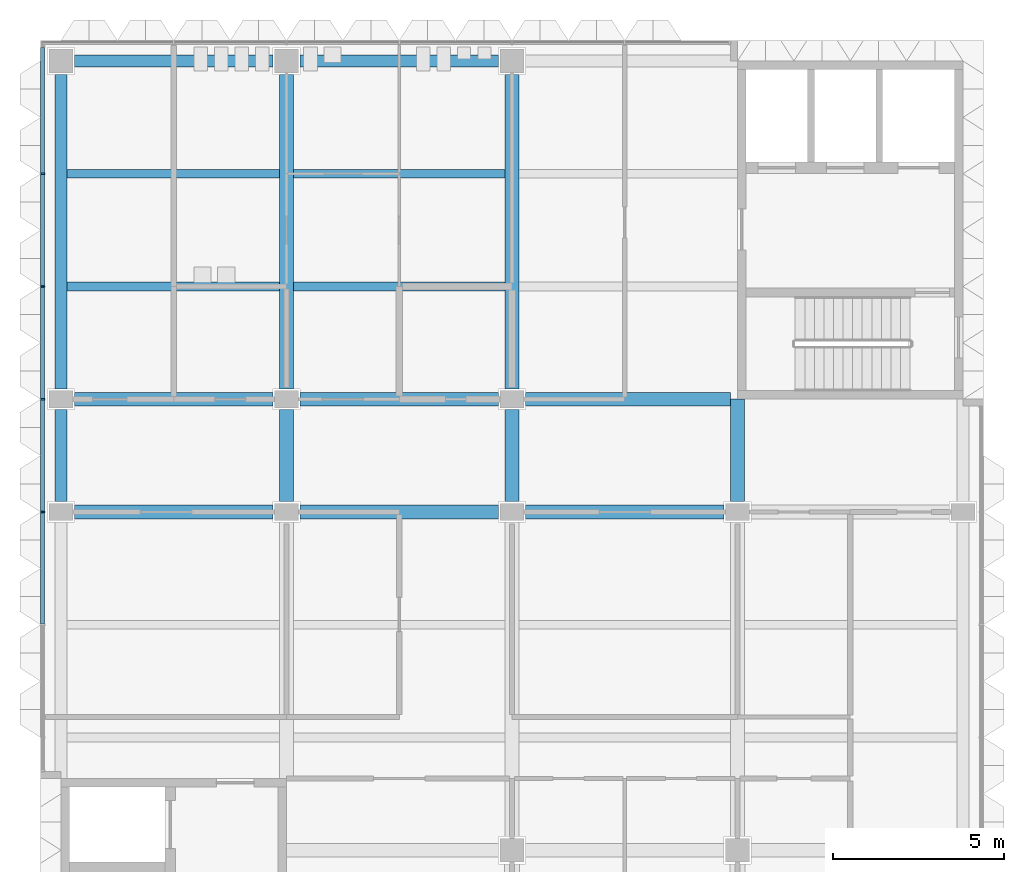
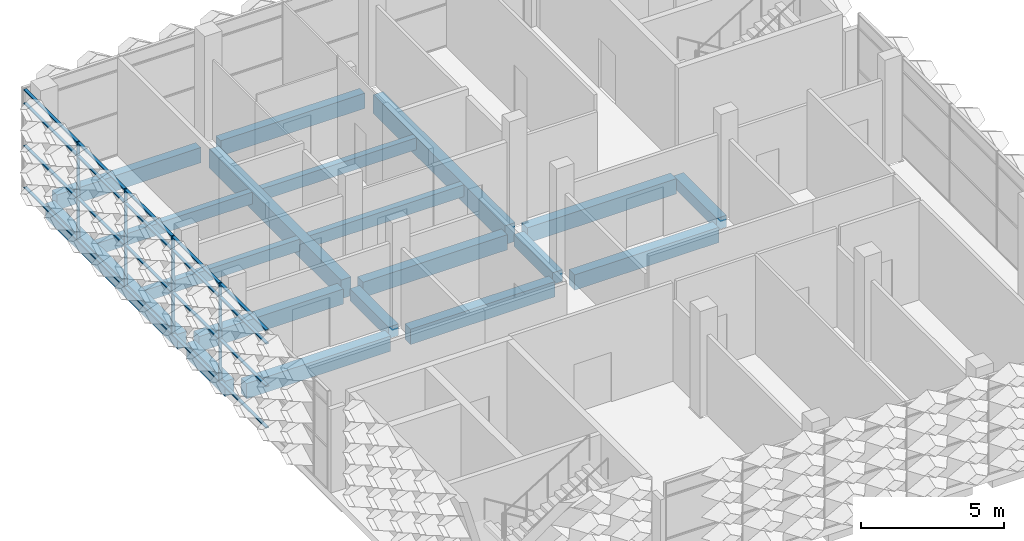
# One storey, part 4 of 29: 24 members, 19 beams, 1 element without a shape of its own.
"""IFC4 building model written with IfcOpenShell, lengths in metres."""

from ifc_helpers import new_model, si_unit, direction, frame, origin, origin_2d, place, context, subcontext, project, spatial, rectangle, extrude, material, material_profile, profile_set, type_object, element, aggregate, save


model = new_model("IFC4")

# Units and contexts
model_context = context("Model", 3, precision=1e-05, world=origin(), true_north=direction((0.0, 1.0)))
body_context = subcontext(model_context, "Body", "Model", "MODEL_VIEW")
ifc_project = project(units=[si_unit("LENGTHUNIT", "METRE"), si_unit("AREAUNIT", "SQUARE_METRE"), si_unit("VOLUMEUNIT", "CUBIC_METRE"), si_unit("PLANEANGLEUNIT", "RADIAN"), si_unit("MASSUNIT", "GRAM", prefix="KILO")], contexts=[model_context])

# Site, building, storey
site_placement = place(None, origin())
site = spatial("IfcSite", under=ifc_project, at=site_placement, CompositionType="ELEMENT")
building_placement = place(site_placement, origin())
building = spatial("IfcBuilding", under=site, at=building_placement, Name="Lantern Court Research Institute", CompositionType="ELEMENT")
storey_placement = place(building_placement, frame((0.0, 0.0, 32.39990234375)))
storey = spatial("IfcBuildingStorey", under=building, at=storey_placement, Name="L07", CompositionType="ELEMENT", Elevation=32.39990234375)

# Curtain wall, members
ifc_material_1 = material(Name="Aluminium alloy 6063-T6", Category="aluminium")
curtain_wall_type = type_object("IfcCurtainWallType", Name="Curtain wall 21250 x 4200 x 120 aluminium frame", PredefinedType="NOTDEFINED", material=ifc_material_1)
curtain_wall_placement = place(storey_placement, origin())
curtain_wall = element("IfcCurtainWall", 1, at=curtain_wall_placement, inside=storey, type_object=curtain_wall_type, Name="Curtain wall CW084", PredefinedType="NOTDEFINED")
ifc_material_2 = material(Name="Aluminium alloy 6063-T6", Category="aluminium")
ifc_material_profile_1 = material_profile(ifc_material_2, rectangle(XDim=0.1201171875, YDim=0.050048828125, at=origin_2d()), Name="Mullion 120 x 50")
ifc_profile_set_1 = profile_set([ifc_material_profile_1], Name="Aluminium alloy 6063-T6")
member_type_1 = type_object("IfcMemberType", Name="Mullion 120 x 50 aluminium", PredefinedType="MULLION", material=ifc_profile_set_1)
member_1_placement = place(storey_placement, frame((52.260009765625, 9.89990234375, 0.0), z_axis=(0.0, 0.0, 1.0), x_axis=(-1.0, 0.0, 0.0)))
member_1 = element("IfcMember", 2, at=member_1_placement, type_object=member_type_1, Name="CW084 mullion 4", PredefinedType="MULLION", context=body_context, shape_type="SweptSolid", body=[
    extrude(rectangle(XDim=0.1201171875, YDim=0.050048828125, at=origin_2d()), origin(), (0.0, 0.0, 1.0), 4.2001953125),
])
member_2_placement = place(storey_placement, frame((52.260009765625, 13.199951171875, 0.0), z_axis=(0.0, 0.0, 1.0), x_axis=(-1.0, 0.0, 0.0)))
member_2 = element("IfcMember", 3, at=member_2_placement, type_object=member_type_1, Name="CW084 mullion 5", PredefinedType="MULLION", context=body_context, shape_type="SweptSolid", body=[
    extrude(rectangle(XDim=0.1201171875, YDim=0.050048828125, at=origin_2d()), origin(), (0.0, 0.0, 1.0), 4.2001953125),
])
member_3_placement = place(storey_placement, frame((52.260009765625, 16.5, 0.0), z_axis=(0.0, 0.0, 1.0), x_axis=(-1.0, 0.0, 0.0)))
member_3 = element("IfcMember", 4, at=member_3_placement, type_object=member_type_1, Name="CW084 mullion 6", PredefinedType="MULLION", context=body_context, shape_type="SweptSolid", body=[
    extrude(rectangle(XDim=0.1201171875, YDim=0.050048828125, at=origin_2d()), origin(), (0.0, 0.0, 1.0), 4.2001953125),
])
member_4_placement = place(storey_placement, frame((52.260009765625, 19.800048828125, 0.0), z_axis=(0.0, 0.0, 1.0), x_axis=(-1.0, 0.0, 0.0)))
member_4 = element("IfcMember", 5, at=member_4_placement, type_object=member_type_1, Name="CW084 mullion 7", PredefinedType="MULLION", context=body_context, shape_type="SweptSolid", body=[
    extrude(rectangle(XDim=0.1201171875, YDim=0.050048828125, at=origin_2d()), origin(), (0.0, 0.0, 1.0), 4.2001953125),
])

# Beams
ifc_material_3 = material(Name="Concrete C40/50", Category="concrete")
ifc_material_profile_2 = material_profile(ifc_material_3, rectangle(XDim=0.39990234375, YDim=0.64990234375, at=origin_2d()), Name="RC beam 400 x 650")
ifc_profile_set_2 = profile_set([ifc_material_profile_2], Name="Concrete C40/50")
beam_type_1 = type_object("IfcBeamType", Name="RC beam 400 x 650", PredefinedType="BEAM", material=ifc_profile_set_2)
for number, where, z_axis, x_axis, name in (
    (6, (53.199951171875, 9.89990234375, -0.625), (1.0, 0.0, 0.0), (0.0, 1.0, 0.0), "Beam L07 grid B/9-10"),
    (7, (59.800048828125, 9.89990234375, -0.625), (1.0, 0.0, 0.0), (0.0, 1.0, 0.0), "Beam L07 grid B/10-11"),
    (8, (66.39990234375, 9.89990234375, -0.625), (1.0, 0.0, 0.0), (0.0, 1.0, 0.0), "Beam L07 grid B/11-12"),
    (9, (53.199951171875, 13.199951171875, -0.625), (1.0, 0.0, 0.0), (0.0, 1.0, 0.0), "Beam L07 grid C/9-10"),
    (10, (59.800048828125, 13.199951171875, -0.625), (1.0, 0.0, 0.0), (0.0, 1.0, 0.0), "Beam L07 grid C/10-11"),
):
    element("IfcBeam", number, at=place(storey_placement, frame(where, z_axis=z_axis, x_axis=x_axis)), inside=storey, type_object=beam_type_1, Name=name, PredefinedType="BEAM", context=body_context, shape_type="SweptSolid", body=[
        extrude(rectangle(XDim=0.39990234375, YDim=0.64990234375, at=origin_2d()), origin(), (0.0, 0.0, 1.0), 5.800048828125),
    ])
beam_1_placement = place(storey_placement, frame((66.39990234375, 13.199951171875, -0.625), z_axis=(1.0, 0.0, 0.0), x_axis=(0.0, 1.0, 0.0)))
element("IfcBeam", 11, at=beam_1_placement, inside=storey, type_object=beam_type_1, Name="Beam L07 grid C/11-12", PredefinedType="BEAM", context=body_context, shape_type="SweptSolid", body=[
    extrude(rectangle(XDim=0.39990234375, YDim=0.64990234375, at=origin_2d()), origin(), (0.0, 0.0, 1.0), 6.0),
])
ifc_material_4 = material(Name="Concrete C40/50", Category="concrete")
ifc_material_profile_3 = material_profile(ifc_material_4, rectangle(XDim=0.35009765625, YDim=0.64990234375, at=origin_2d()), Name="RC beam 350 x 650")
ifc_profile_set_3 = profile_set([ifc_material_profile_3], Name="Concrete C40/50")
beam_type_2 = type_object("IfcBeamType", Name="RC edge beam 350 x 650", PredefinedType="BEAM", material=ifc_profile_set_3)
beam_2_placement = place(storey_placement, frame((52.800048828125, 10.199951171875, -0.625), z_axis=(0.0, 1.0, 0.0), x_axis=(-1.0, 0.0, 0.0)))
element("IfcBeam", 12, at=beam_2_placement, inside=storey, type_object=beam_type_2, Name="Edge beam L07 grid 9/B-C", PredefinedType="BEAM", context=body_context, shape_type="SweptSolid", body=[
    extrude(rectangle(XDim=0.35009765625, YDim=0.64990234375, at=origin_2d()), origin(), (0.0, 0.0, 1.0), 2.699951171875),
])
beam_3_placement = place(storey_placement, frame((52.800048828125, 13.5, -0.625), z_axis=(0.0, 1.0, 0.0), x_axis=(-1.0, 0.0, 0.0)))
element("IfcBeam", 13, at=beam_3_placement, inside=storey, type_object=beam_type_2, Name="Edge beam L07 grid 9/C-D", PredefinedType="BEAM", context=body_context, shape_type="SweptSolid", body=[
    extrude(rectangle(XDim=0.35009765625, YDim=0.64990234375, at=origin_2d()), origin(), (0.0, 0.0, 1.0), 9.199951171875),
])
for number, where, z_axis, x_axis, name in (
    (14, (53.199951171875, 23.10009765625, -0.625), (1.0, 0.0, 0.0), (0.0, 1.0, 0.0), "Edge beam L07 grid D/9-10"),
    (15, (59.800048828125, 23.10009765625, -0.625), (1.0, 0.0, 0.0), (0.0, 1.0, 0.0), "Edge beam L07 grid D/10-11"),
):
    element("IfcBeam", number, at=place(storey_placement, frame(where, z_axis=z_axis, x_axis=x_axis)), inside=storey, type_object=beam_type_2, Name=name, PredefinedType="BEAM", context=body_context, shape_type="SweptSolid", body=[
        extrude(rectangle(XDim=0.35009765625, YDim=0.64990234375, at=origin_2d()), origin(), (0.0, 0.0, 1.0), 5.800048828125),
    ])
ifc_material_5 = material(Name="Concrete C40/50", Category="concrete")
ifc_material_profile_4 = material_profile(ifc_material_5, rectangle(XDim=0.39990234375, YDim=0.800048828125, at=origin_2d()), Name="RC beam 400 x 800")
ifc_profile_set_4 = profile_set([ifc_material_profile_4], Name="Concrete C40/50")
beam_type_3 = type_object("IfcBeamType", Name="RC girder 400 x 800", PredefinedType="BEAM", material=ifc_profile_set_4)
for number, where, z_axis, x_axis, name in (
    (16, (59.39990234375, 13.5, -0.699951171875), (0.0, 1.0, 0.0), (-1.0, 0.0, 0.0), "Girder L07 grid 10/C-D"),
    (17, (66.0, 13.5, -0.699951171875), (0.0, 1.0, 0.0), (-1.0, 0.0, 0.0), "Girder L07 grid 11/C-D"),
):
    element("IfcBeam", number, at=place(storey_placement, frame(where, z_axis=z_axis, x_axis=x_axis)), inside=storey, type_object=beam_type_3, Name=name, PredefinedType="BEAM", context=body_context, shape_type="SweptSolid", body=[
        extrude(rectangle(XDim=0.39990234375, YDim=0.800048828125, at=origin_2d()), origin(), (0.0, 0.0, 1.0), 9.199951171875),
    ])
ifc_material_6 = material(Name="Concrete C40/50", Category="concrete")
ifc_material_profile_5 = material_profile(ifc_material_6, rectangle(XDim=0.25, YDim=0.5, at=origin_2d()), Name="RC beam 250 x 500")
ifc_profile_set_5 = profile_set([ifc_material_profile_5], Name="Concrete C40/50")
beam_type_4 = type_object("IfcBeamType", Name="RC secondary beam 250 x 500", PredefinedType="BEAM", material=ifc_profile_set_5)
beam_4_placement = place(storey_placement, frame((52.97509765625, 16.5, -0.5498046875), z_axis=(1.0, 0.0, 0.0), x_axis=(0.0, 1.0, 0.0)))
element("IfcBeam", 18, at=beam_4_placement, inside=storey, type_object=beam_type_4, Name="Secondary beam L07 grids 9-10 / C-D, line 1", PredefinedType="BEAM", context=body_context, shape_type="SweptSolid", body=[
    extrude(rectangle(XDim=0.25, YDim=0.5, at=origin_2d()), origin(), (0.0, 0.0, 1.0), 6.224853515625),
])
beam_5_placement = place(storey_placement, frame((59.60009765625, 16.5, -0.5498046875), z_axis=(1.0, 0.0, 0.0), x_axis=(0.0, 1.0, 0.0)))
element("IfcBeam", 19, at=beam_5_placement, inside=storey, type_object=beam_type_4, Name="Secondary beam L07 grids 10-11 / C-D, line 1", PredefinedType="BEAM", context=body_context, shape_type="SweptSolid", body=[
    extrude(rectangle(XDim=0.25, YDim=0.5, at=origin_2d()), origin(), (0.0, 0.0, 1.0), 6.199951171875),
])
beam_6_placement = place(storey_placement, frame((52.97509765625, 19.800048828125, -0.5498046875), z_axis=(1.0, 0.0, 0.0), x_axis=(0.0, 1.0, 0.0)))
element("IfcBeam", 20, at=beam_6_placement, inside=storey, type_object=beam_type_4, Name="Secondary beam L07 grids 9-10 / C-D, line 2", PredefinedType="BEAM", context=body_context, shape_type="SweptSolid", body=[
    extrude(rectangle(XDim=0.25, YDim=0.5, at=origin_2d()), origin(), (0.0, 0.0, 1.0), 6.224853515625),
])
beam_7_placement = place(storey_placement, frame((59.60009765625, 19.800048828125, -0.5498046875), z_axis=(1.0, 0.0, 0.0), x_axis=(0.0, 1.0, 0.0)))
element("IfcBeam", 21, at=beam_7_placement, inside=storey, type_object=beam_type_4, Name="Secondary beam L07 grids 10-11 / C-D, line 2", PredefinedType="BEAM", context=body_context, shape_type="SweptSolid", body=[
    extrude(rectangle(XDim=0.25, YDim=0.5, at=origin_2d()), origin(), (0.0, 0.0, 1.0), 6.199951171875),
])
ifc_material_7 = material(Name="Concrete C40/50", Category="concrete")
ifc_material_profile_6 = material_profile(ifc_material_7, rectangle(XDim=0.39990234375, YDim=0.5, at=origin_2d()), Name="RC beam 400 x 500")
ifc_profile_set_6 = profile_set([ifc_material_profile_6], Name="Concrete C40/50")
beam_type_5 = type_object("IfcBeamType", Name="RC spine beam 400 x 500", PredefinedType="BEAM", material=ifc_profile_set_6)
for number, where, z_axis, x_axis, name in (
    (22, (59.39990234375, 10.199951171875, -0.5498046875), (0.0, 1.0, 0.0), (-1.0, 0.0, 0.0), "Beam L07 grid 10/B-C"),
    (23, (66.0, 10.199951171875, -0.5498046875), (0.0, 1.0, 0.0), (-1.0, 0.0, 0.0), "Beam L07 grid 11/B-C"),
):
    element("IfcBeam", number, at=place(storey_placement, frame(where, z_axis=z_axis, x_axis=x_axis)), inside=storey, type_object=beam_type_5, Name=name, PredefinedType="BEAM", context=body_context, shape_type="SweptSolid", body=[
        extrude(rectangle(XDim=0.39990234375, YDim=0.5, at=origin_2d()), origin(), (0.0, 0.0, 1.0), 2.699951171875),
    ])
beam_8_placement = place(storey_placement, frame((72.60009765625, 10.199951171875, -0.5498046875), z_axis=(0.0, 1.0, 0.0), x_axis=(-1.0, 0.0, 0.0)))
element("IfcBeam", 24, at=beam_8_placement, inside=storey, type_object=beam_type_5, Name="Beam L07 grid 12/B-C", PredefinedType="BEAM", context=body_context, shape_type="SweptSolid", body=[
    extrude(rectangle(XDim=0.39990234375, YDim=0.5, at=origin_2d()), origin(), (0.0, 0.0, 1.0), 3.0),
])

# Member
ifc_material_8 = material(Name="Aluminium alloy 6063-T6", Category="aluminium")
ifc_material_profile_7 = material_profile(ifc_material_8, rectangle(XDim=0.1201171875, YDim=0.050048828125, at=origin_2d()), Name="Transom 120 x 50")
ifc_profile_set_7 = profile_set([ifc_material_profile_7], Name="Aluminium alloy 6063-T6")
member_type_2 = type_object("IfcMemberType", Name="Transom 120 x 50 aluminium", PredefinedType="USERDEFINED", material=ifc_profile_set_7)
member_5_placement = place(storey_placement, frame((52.260009765625, 6.625, 0.025146484375), z_axis=(0.0, 1.0, 0.0), x_axis=(-1.0, 0.0, 0.0)))
member_5 = element("IfcMember", 25, at=member_5_placement, type_object=member_type_2, Name="CW084 transom 3.1", ObjectType="TRANSOM", PredefinedType="USERDEFINED", context=body_context, shape_type="SweptSolid", body=[
    extrude(rectangle(XDim=0.1201171875, YDim=0.050048828125, at=origin_2d()), origin(), (0.0, 0.0, 1.0), 3.25),
])

member_6_placement = place(storey_placement, frame((52.260009765625, 6.625, 1.800048828125), z_axis=(0.0, 1.0, 0.0), x_axis=(-1.0, 0.0, 0.0)))
member_6 = element("IfcMember", 26, at=member_6_placement, type_object=member_type_2, Name="CW084 transom 3.2", ObjectType="TRANSOM", PredefinedType="USERDEFINED", context=body_context, shape_type="SweptSolid", body=[
    extrude(rectangle(XDim=0.1201171875, YDim=0.050048828125, at=origin_2d()), origin(), (0.0, 0.0, 1.0), 3.25),
])

member_7_placement = place(storey_placement, frame((52.260009765625, 6.625, 3.60009765625), z_axis=(0.0, 1.0, 0.0), x_axis=(-1.0, 0.0, 0.0)))
member_7 = element("IfcMember", 27, at=member_7_placement, type_object=member_type_2, Name="CW084 transom 3.3", ObjectType="TRANSOM", PredefinedType="USERDEFINED", context=body_context, shape_type="SweptSolid", body=[
    extrude(rectangle(XDim=0.1201171875, YDim=0.050048828125, at=origin_2d()), origin(), (0.0, 0.0, 1.0), 3.25),
])

member_8_placement = place(storey_placement, frame((52.260009765625, 6.625, 4.175048828125), z_axis=(0.0, 1.0, 0.0), x_axis=(-1.0, 0.0, 0.0)))
member_8 = element("IfcMember", 28, at=member_8_placement, type_object=member_type_2, Name="CW084 transom 3.4", ObjectType="TRANSOM", PredefinedType="USERDEFINED", context=body_context, shape_type="SweptSolid", body=[
    extrude(rectangle(XDim=0.1201171875, YDim=0.050048828125, at=origin_2d()), origin(), (0.0, 0.0, 1.0), 3.25),
])

member_9_placement = place(storey_placement, frame((52.260009765625, 9.925048828125, 0.025146484375), z_axis=(0.0, 1.0, 0.0), x_axis=(-1.0, 0.0, 0.0)))
member_9 = element("IfcMember", 29, at=member_9_placement, type_object=member_type_2, Name="CW084 transom 4.1", ObjectType="TRANSOM", PredefinedType="USERDEFINED", context=body_context, shape_type="SweptSolid", body=[
    extrude(rectangle(XDim=0.1201171875, YDim=0.050048828125, at=origin_2d()), origin(), (0.0, 0.0, 1.0), 3.25),
])

member_10_placement = place(storey_placement, frame((52.260009765625, 9.925048828125, 1.800048828125), z_axis=(0.0, 1.0, 0.0), x_axis=(-1.0, 0.0, 0.0)))
member_10 = element("IfcMember", 30, at=member_10_placement, type_object=member_type_2, Name="CW084 transom 4.2", ObjectType="TRANSOM", PredefinedType="USERDEFINED", context=body_context, shape_type="SweptSolid", body=[
    extrude(rectangle(XDim=0.1201171875, YDim=0.050048828125, at=origin_2d()), origin(), (0.0, 0.0, 1.0), 3.25),
])

member_11_placement = place(storey_placement, frame((52.260009765625, 9.925048828125, 3.60009765625), z_axis=(0.0, 1.0, 0.0), x_axis=(-1.0, 0.0, 0.0)))
member_11 = element("IfcMember", 31, at=member_11_placement, type_object=member_type_2, Name="CW084 transom 4.3", ObjectType="TRANSOM", PredefinedType="USERDEFINED", context=body_context, shape_type="SweptSolid", body=[
    extrude(rectangle(XDim=0.1201171875, YDim=0.050048828125, at=origin_2d()), origin(), (0.0, 0.0, 1.0), 3.25),
])

member_12_placement = place(storey_placement, frame((52.260009765625, 9.925048828125, 4.175048828125), z_axis=(0.0, 1.0, 0.0), x_axis=(-1.0, 0.0, 0.0)))
member_12 = element("IfcMember", 32, at=member_12_placement, type_object=member_type_2, Name="CW084 transom 4.4", ObjectType="TRANSOM", PredefinedType="USERDEFINED", context=body_context, shape_type="SweptSolid", body=[
    extrude(rectangle(XDim=0.1201171875, YDim=0.050048828125, at=origin_2d()), origin(), (0.0, 0.0, 1.0), 3.25),
])

member_13_placement = place(storey_placement, frame((52.260009765625, 13.22509765625, 0.025146484375), z_axis=(0.0, 1.0, 0.0), x_axis=(-1.0, 0.0, 0.0)))
member_13 = element("IfcMember", 33, at=member_13_placement, type_object=member_type_2, Name="CW084 transom 5.1", ObjectType="TRANSOM", PredefinedType="USERDEFINED", context=body_context, shape_type="SweptSolid", body=[
    extrude(rectangle(XDim=0.1201171875, YDim=0.050048828125, at=origin_2d()), origin(), (0.0, 0.0, 1.0), 3.25),
])

member_14_placement = place(storey_placement, frame((52.260009765625, 13.22509765625, 1.800048828125), z_axis=(0.0, 1.0, 0.0), x_axis=(-1.0, 0.0, 0.0)))
member_14 = element("IfcMember", 34, at=member_14_placement, type_object=member_type_2, Name="CW084 transom 5.2", ObjectType="TRANSOM", PredefinedType="USERDEFINED", context=body_context, shape_type="SweptSolid", body=[
    extrude(rectangle(XDim=0.1201171875, YDim=0.050048828125, at=origin_2d()), origin(), (0.0, 0.0, 1.0), 3.25),
])

member_15_placement = place(storey_placement, frame((52.260009765625, 13.22509765625, 3.60009765625), z_axis=(0.0, 1.0, 0.0), x_axis=(-1.0, 0.0, 0.0)))
member_15 = element("IfcMember", 35, at=member_15_placement, type_object=member_type_2, Name="CW084 transom 5.3", ObjectType="TRANSOM", PredefinedType="USERDEFINED", context=body_context, shape_type="SweptSolid", body=[
    extrude(rectangle(XDim=0.1201171875, YDim=0.050048828125, at=origin_2d()), origin(), (0.0, 0.0, 1.0), 3.25),
])

member_16_placement = place(storey_placement, frame((52.260009765625, 13.22509765625, 4.175048828125), z_axis=(0.0, 1.0, 0.0), x_axis=(-1.0, 0.0, 0.0)))
member_16 = element("IfcMember", 36, at=member_16_placement, type_object=member_type_2, Name="CW084 transom 5.4", ObjectType="TRANSOM", PredefinedType="USERDEFINED", context=body_context, shape_type="SweptSolid", body=[
    extrude(rectangle(XDim=0.1201171875, YDim=0.050048828125, at=origin_2d()), origin(), (0.0, 0.0, 1.0), 3.25),
])

member_17_placement = place(storey_placement, frame((52.260009765625, 16.52490234375, 0.025146484375), z_axis=(0.0, 1.0, 0.0), x_axis=(-1.0, 0.0, 0.0)))
member_17 = element("IfcMember", 37, at=member_17_placement, type_object=member_type_2, Name="CW084 transom 6.1", ObjectType="TRANSOM", PredefinedType="USERDEFINED", context=body_context, shape_type="SweptSolid", body=[
    extrude(rectangle(XDim=0.1201171875, YDim=0.050048828125, at=origin_2d()), origin(), (0.0, 0.0, 1.0), 3.25),
])

member_18_placement = place(storey_placement, frame((52.260009765625, 16.52490234375, 1.800048828125), z_axis=(0.0, 1.0, 0.0), x_axis=(-1.0, 0.0, 0.0)))
member_18 = element("IfcMember", 38, at=member_18_placement, type_object=member_type_2, Name="CW084 transom 6.2", ObjectType="TRANSOM", PredefinedType="USERDEFINED", context=body_context, shape_type="SweptSolid", body=[
    extrude(rectangle(XDim=0.1201171875, YDim=0.050048828125, at=origin_2d()), origin(), (0.0, 0.0, 1.0), 3.25),
])

member_19_placement = place(storey_placement, frame((52.260009765625, 16.52490234375, 3.60009765625), z_axis=(0.0, 1.0, 0.0), x_axis=(-1.0, 0.0, 0.0)))
member_19 = element("IfcMember", 39, at=member_19_placement, type_object=member_type_2, Name="CW084 transom 6.3", ObjectType="TRANSOM", PredefinedType="USERDEFINED", context=body_context, shape_type="SweptSolid", body=[
    extrude(rectangle(XDim=0.1201171875, YDim=0.050048828125, at=origin_2d()), origin(), (0.0, 0.0, 1.0), 3.25),
])

member_20_placement = place(storey_placement, frame((52.260009765625, 16.52490234375, 4.175048828125), z_axis=(0.0, 1.0, 0.0), x_axis=(-1.0, 0.0, 0.0)))
member_20 = element("IfcMember", 40, at=member_20_placement, type_object=member_type_2, Name="CW084 transom 6.4", ObjectType="TRANSOM", PredefinedType="USERDEFINED", context=body_context, shape_type="SweptSolid", body=[
    extrude(rectangle(XDim=0.1201171875, YDim=0.050048828125, at=origin_2d()), origin(), (0.0, 0.0, 1.0), 3.25),
])

member_21_placement = place(storey_placement, frame((52.260009765625, 19.824951171875, 0.025146484375), z_axis=(0.0, 1.0, 0.0), x_axis=(-1.0, 0.0, 0.0)))
member_21 = element("IfcMember", 41, at=member_21_placement, type_object=member_type_2, Name="CW084 transom 7.1", ObjectType="TRANSOM", PredefinedType="USERDEFINED", context=body_context, shape_type="SweptSolid", body=[
    extrude(rectangle(XDim=0.1201171875, YDim=0.050048828125, at=origin_2d()), origin(), (0.0, 0.0, 1.0), 3.675048828125),
])

member_22_placement = place(storey_placement, frame((52.260009765625, 19.824951171875, 1.800048828125), z_axis=(0.0, 1.0, 0.0), x_axis=(-1.0, 0.0, 0.0)))
member_22 = element("IfcMember", 42, at=member_22_placement, type_object=member_type_2, Name="CW084 transom 7.2", ObjectType="TRANSOM", PredefinedType="USERDEFINED", context=body_context, shape_type="SweptSolid", body=[
    extrude(rectangle(XDim=0.1201171875, YDim=0.050048828125, at=origin_2d()), origin(), (0.0, 0.0, 1.0), 3.675048828125),
])

member_23_placement = place(storey_placement, frame((52.260009765625, 19.824951171875, 3.60009765625), z_axis=(0.0, 1.0, 0.0), x_axis=(-1.0, 0.0, 0.0)))
member_23 = element("IfcMember", 43, at=member_23_placement, type_object=member_type_2, Name="CW084 transom 7.3", ObjectType="TRANSOM", PredefinedType="USERDEFINED", context=body_context, shape_type="SweptSolid", body=[
    extrude(rectangle(XDim=0.1201171875, YDim=0.050048828125, at=origin_2d()), origin(), (0.0, 0.0, 1.0), 3.675048828125),
])

member_24_placement = place(storey_placement, frame((52.260009765625, 19.824951171875, 4.175048828125), z_axis=(0.0, 1.0, 0.0), x_axis=(-1.0, 0.0, 0.0)))
member_24 = element("IfcMember", 44, at=member_24_placement, type_object=member_type_2, Name="CW084 transom 7.4", ObjectType="TRANSOM", PredefinedType="USERDEFINED", context=body_context, shape_type="SweptSolid", body=[
    extrude(rectangle(XDim=0.1201171875, YDim=0.050048828125, at=origin_2d()), origin(), (0.0, 0.0, 1.0), 3.675048828125),
])

aggregate(curtain_wall, [member_1, member_2, member_3, member_4, member_5, member_6, member_7, member_8, member_9, member_10, member_11, member_12, member_13, member_14, member_15, member_16, member_17, member_18, member_19, member_20, member_21, member_22, member_23, member_24])

save(model, "model.ifc")
